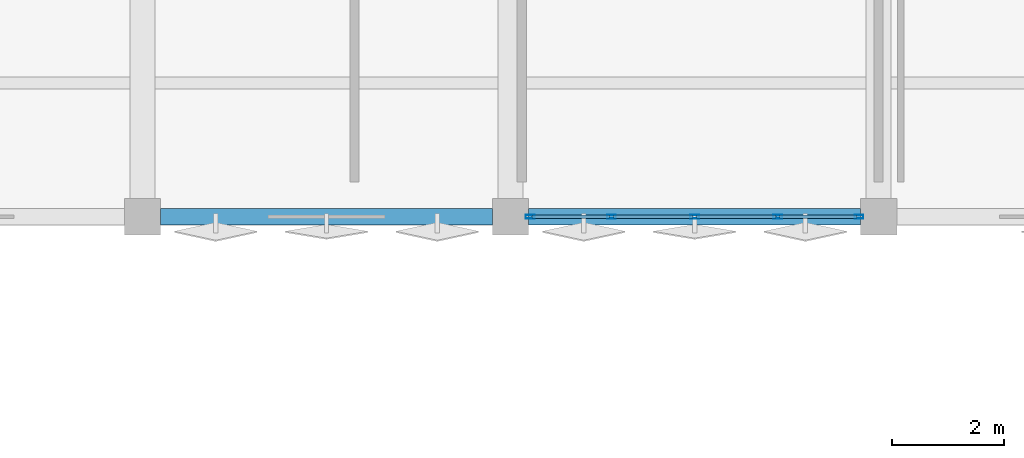
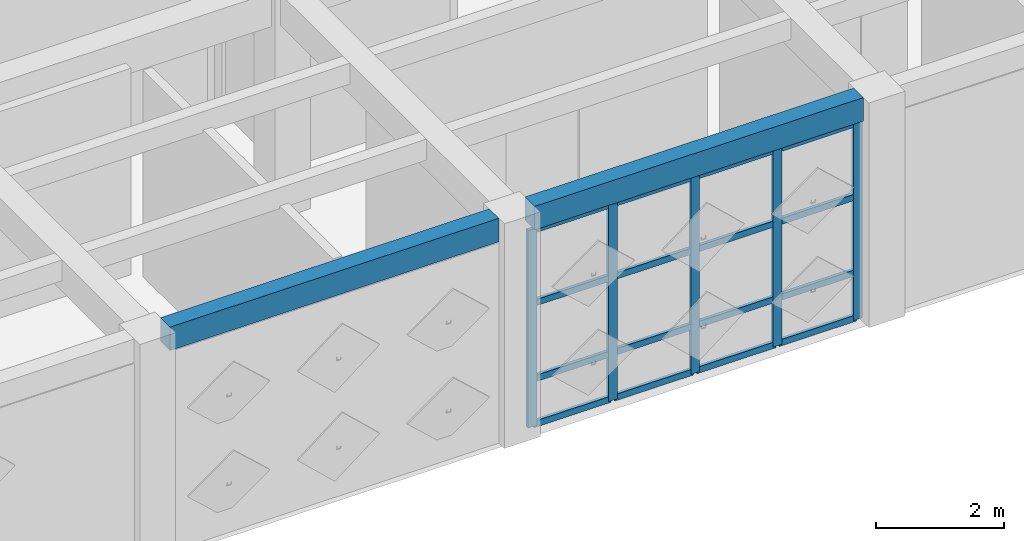
# One storey, part 13 of 39: 21 members, 2 beams, 1 element without a shape of its own.
"""IFC4 building model written with IfcOpenShell, lengths in metres."""

import ifcopenshell
import ifcopenshell.guid

model = None  # the IFC model being written
_history = None  # IfcOwnerHistory: only IFC2X3 demands one
_inside = {}  # id of a spatial element -> (the spatial element, [elements in it])
_under = {}  # id of a project, library or spatial element -> (it, [spatial elements below it])
_declared = {}  # id of a project -> (the project, [libraries it declares])
_typed = {}  # id of a type object -> (the type object, [elements of that type])
_made_of = {}  # id of a material, layer set ... -> (it, [elements and type objects made of it])


def new_model(schema):
    """Start an empty IFC model of exactly this schema.

    Asked for "IFC4X3", IfcOpenShell would pick the latest addendum, in which some entities
    have other attributes; the version numbers below select the first issue.
    IFC2X3 requires an IfcOwnerHistory on every rooted entity: one is made here for all.
    """
    global model, _history
    if schema == "IFC4X3":
        model = ifcopenshell.file(schema_version=(4, 3, 0, 0))
    else:
        model = ifcopenshell.file(schema=schema)
    _inside.clear()
    _under.clear()
    _declared.clear()
    _typed.clear()
    _made_of.clear()
    _history = None
    if model.schema == "IFC2X3":
        org = make("IfcOrganization", Name="unknown")
        user = make(
            "IfcPersonAndOrganization",
            ThePerson=make("IfcPerson", FamilyName="unknown"),
            TheOrganization=org,
        )
        app = make(
            "IfcApplication",
            ApplicationDeveloper=org,
            Version="unknown",
            ApplicationFullName="unknown",
            ApplicationIdentifier="unknown",
        )
        _history = make(
            "IfcOwnerHistory",
            OwningUser=user,
            OwningApplication=app,
            ChangeAction="ADDED",
            CreationDate=0,
        )
    return model


def make(cls, **values):
    """One entity of the class cls with the attributes given. An attribute that is None is left unset."""
    return model.create_entity(
        cls, **{name: value for name, value in values.items() if value is not None}
    )


def rooted(cls, **values):
    """An entity with a GlobalId (a new one), such as an element, a storey or a relation."""
    return make(cls, GlobalId=ifcopenshell.guid.new(), OwnerHistory=_history, **values)


def si_unit(unit_type, name, prefix=None):
    """IfcSIUnit, for example si_unit("LENGTHUNIT", "METRE", prefix="MILLI")."""
    return make("IfcSIUnit", UnitType=unit_type, Prefix=prefix, Name=name)


def assignment(units):
    """IfcUnitAssignment: the units of a project."""
    return None if units is None else make("IfcUnitAssignment", Units=units)


def point(xyz):
    """IfcCartesianPoint."""
    return None if xyz is None else make("IfcCartesianPoint", Coordinates=xyz)


def direction(xyz):
    """IfcDirection."""
    return None if xyz is None else make("IfcDirection", DirectionRatios=xyz)


def frame(location, z_axis=None, x_axis=None):
    """IfcAxis2Placement3D, a coordinate frame: its origin and axes. An axis left out is left unset."""
    return make(
        "IfcAxis2Placement3D",
        Location=point(location),
        Axis=direction(z_axis),
        RefDirection=direction(x_axis),
    )


def frame_2d(location, x_axis=None):
    """IfcAxis2Placement2D, a coordinate frame in the plane: its origin and x axis."""
    return make(
        "IfcAxis2Placement2D", Location=point(location), RefDirection=direction(x_axis)
    )


def origin():
    """The frame at (0, 0, 0) with its axes left unset."""
    return frame((0.0, 0.0, 0.0))


def origin_2d():
    """The frame at (0, 0) in the plane with its x axis left unset."""
    return frame_2d((0.0, 0.0))


def place(relative_to, where):
    """IfcLocalPlacement: puts the frame where relative to a parent placement (None: the world)."""
    return make(
        "IfcLocalPlacement", PlacementRelTo=relative_to, RelativePlacement=where
    )


def context(
    kind, dimensions, precision=None, world=None, true_north=None, identifier=None
):
    """IfcGeometricRepresentationContext, for example the 3D "Model" context."""
    return make(
        "IfcGeometricRepresentationContext",
        ContextIdentifier=identifier,
        ContextType=kind,
        CoordinateSpaceDimension=dimensions,
        Precision=precision,
        WorldCoordinateSystem=world,
        TrueNorth=true_north,
    )


def subcontext(parent, identifier, kind, view, scale=None):
    """IfcGeometricRepresentationSubContext, for example "Body" below "Model"."""
    return make(
        "IfcGeometricRepresentationSubContext",
        ContextIdentifier=identifier,
        ContextType=kind,
        ParentContext=parent,
        TargetScale=scale,
        TargetView=view,
    )


def project(units=None, contexts=None):
    """IfcProject with its units and contexts."""
    return rooted(
        "IfcProject",
        Name="project",
        RepresentationContexts=contexts,
        UnitsInContext=assignment(units),
    )


def spatial(cls, under=None, at=None, **own):
    """A site, building, storey or space (cls), placed at a placement, below another one or the project."""
    s = rooted(cls, ObjectPlacement=at, **own)
    if under is not None:
        _under.setdefault(under.id(), (under, []))[1].append(s)
    return s


def profile(cls, at=None, kind="AREA", **sizes):
    """A parametric profile (cls). Its sizes go by their IFC names, for example OverallWidth=200.0."""
    return make(cls, ProfileType=kind, Position=at, **sizes)


def rectangle(**sizes):
    """IfcRectangleProfileDef."""
    return profile("IfcRectangleProfileDef", **sizes)


def hollow_rectangle(**sizes):
    """IfcRectangleHollowProfileDef."""
    return profile("IfcRectangleHollowProfileDef", **sizes)


def extrude(swept, where, along, depth):
    """IfcExtrudedAreaSolid: the profile swept, set in the frame where, extruded along a direction by depth."""
    return make(
        "IfcExtrudedAreaSolid",
        SweptArea=swept,
        Position=where,
        ExtrudedDirection=direction(along),
        Depth=depth,
    )


def shape(context_of_items, identifier, shape_type, items):
    """IfcShapeRepresentation: the items that make up one representation, for example the "Body"."""
    return make(
        "IfcShapeRepresentation",
        ContextOfItems=context_of_items,
        RepresentationIdentifier=identifier,
        RepresentationType=shape_type,
        Items=items,
    )


def material(Name=None, Category=None):
    """IfcMaterial."""
    return make("IfcMaterial", Name=Name, Category=Category)


def layer(
    of_material, thickness, ventilated=None, Name=None, Category=None, Priority=None
):
    """IfcMaterialLayer: one layer of a wall or slab, of a material (None: an air gap)."""
    return make(
        "IfcMaterialLayer",
        Material=of_material,
        LayerThickness=thickness,
        IsVentilated=ventilated,
        Name=Name,
        Category=Category,
        Priority=Priority,
    )


def layer_set(layers, Name=None):
    """IfcMaterialLayerSet."""
    return make("IfcMaterialLayerSet", MaterialLayers=layers, LayerSetName=Name)


def material_profile(
    of_material, cross_section, Name=None, Category=None, Priority=None
):
    """IfcMaterialProfile: a cross section and its material."""
    return make(
        "IfcMaterialProfile",
        Name=Name,
        Material=of_material,
        Profile=cross_section,
        Priority=Priority,
        Category=Category,
    )


def profile_set(profiles, Name=None, composite=None):
    """IfcMaterialProfileSet."""
    return make(
        "IfcMaterialProfileSet",
        Name=Name,
        MaterialProfiles=profiles,
        CompositeProfile=composite,
    )


def made_of(thing, what):
    """Note that an element or type object is made of a material, layer set ...; save() writes the relation."""
    if what is not None:
        _made_of.setdefault(what.id(), (what, []))[1].append(thing)
    return thing


def type_object(cls, material=None, **own):
    """A type object (cls), such as IfcWallType, which elements share."""
    return made_of(rooted(cls, **own), material)


def element(
    cls,
    number,
    at=None,
    inside=None,
    cuts=None,
    type_object=None,
    material=None,
    context=None,
    identifier="Body",
    shape_type=None,
    held_by="IfcProductDefinitionShape",
    body=None,
    shapes=None,
    **own,
):
    """One element of the class cls, such as IfcWall. Its Tag is "e" and its number.

    at: its placement. inside: the storey or other place that contains it. cuts: it is an
    opening in that element (IfcRelVoidsElement). A single representation is given by context,
    identifier, shape_type and body (its items); several are given by shapes. held_by: the class
    of the entity that holds the representations. save() writes the other relations.
    """
    e = rooted(cls, Tag="e%d" % number, ObjectPlacement=at, **own)
    if body is not None:
        shapes = [shape(context, identifier, shape_type, body)]
    if shapes is not None:
        e.Representation = make(held_by, Representations=shapes)
    if inside is not None:
        _inside.setdefault(inside.id(), (inside, []))[1].append(e)
    if cuts is not None:
        rooted(
            "IfcRelVoidsElement", RelatingBuildingElement=cuts, RelatedOpeningElement=e
        )
    if type_object is not None:
        _typed.setdefault(type_object.id(), (type_object, []))[1].append(e)
    return made_of(e, material)


def aggregate(whole, parts):
    """IfcRelAggregates: a whole, such as a stair, and the parts it consists of."""
    return rooted("IfcRelAggregates", RelatingObject=whole, RelatedObjects=parts)


def save(model, path):
    """Write the relations noted so far, then the file.

    IfcRelAggregates (storeys below a building ...), IfcRelContainedInSpatialStructure (elements
    in a storey), IfcRelDefinesByType, IfcRelAssociatesMaterial and IfcRelDeclares: one each for
    every whole, place, type object, material and project.
    """
    for whole, parts in _under.values():
        aggregate(whole, parts)
    for where, things in _inside.values():
        rooted(
            "IfcRelContainedInSpatialStructure",
            RelatedElements=things,
            RelatingStructure=where,
        )
    for kind, things in _typed.values():
        rooted("IfcRelDefinesByType", RelatedObjects=things, RelatingType=kind)
    for what, things in _made_of.values():
        rooted("IfcRelAssociatesMaterial", RelatedObjects=things, RelatingMaterial=what)
    for by, libraries in _declared.values():
        rooted("IfcRelDeclares", RelatingContext=by, RelatedDefinitions=libraries)
    model.write(path)


model = new_model("IFC4")

# Units and contexts
model_context = context("Model", 3, precision=1e-05, world=origin(), true_north=direction((0.0, 1.0)))
body_context = subcontext(model_context, "Body", "Model", "MODEL_VIEW")
ifc_project = project(units=[si_unit("LENGTHUNIT", "METRE"), si_unit("AREAUNIT", "SQUARE_METRE"), si_unit("VOLUMEUNIT", "CUBIC_METRE"), si_unit("PLANEANGLEUNIT", "RADIAN"), si_unit("MASSUNIT", "GRAM", prefix="KILO")], contexts=[model_context])

# Site, building, storey
site_placement = place(None, origin())
site = spatial("IfcSite", under=ifc_project, at=site_placement, CompositionType="ELEMENT")
building_placement = place(site_placement, origin())
building = spatial("IfcBuilding", under=site, at=building_placement, Name="Kharisveld Research Institute", CompositionType="ELEMENT")
storey_placement = place(building_placement, frame((0.0, 0.0, 18.60009765625)))
storey = spatial("IfcBuildingStorey", under=building, at=storey_placement, Name="L04", CompositionType="ELEMENT", Elevation=18.60009765625)

# Curtain wall, members
ifc_material_1 = material(Name="Thermally Broken Aluminium Curtain Wall", Category="aluminium")
ifc_layer = layer(ifc_material_1, 0.159912109375)
ifc_layer_set = layer_set([ifc_layer], Name="CW_SYS_02")
curtain_wall_type = type_object("IfcCurtainWallType", Name="CW_SYS_02", PredefinedType="NOTDEFINED", material=ifc_layer_set)
curtain_wall_placement = place(storey_placement, origin())
curtain_wall = element("IfcCurtainWall", 1, at=curtain_wall_placement, inside=storey, type_object=curtain_wall_type, Name="CW:V2:L04:S4", PredefinedType="NOTDEFINED")
ifc_material_2 = material(Name="Anodised Aluminium AW-6063-T6", Category="aluminium")
ifc_material_profile_1 = material_profile(ifc_material_2, hollow_rectangle(XDim=0.06494140625, YDim=0.159912109375, WallThickness=0.00390625, at=origin_2d()))
ifc_profile_set_1 = profile_set([ifc_material_profile_1], Name="Anodised Aluminium AW-6063-T6")
member_type_1 = type_object("IfcMemberType", Name="CW_MUL_160", PredefinedType="MULLION", material=ifc_profile_set_1)
member_1_placement = place(storey_placement, frame((140.6474609375, 39.199951171875, 0.0), z_axis=(0.0, 0.0, 1.0), x_axis=(0.0, -1.0, 0.0)))
member_1 = element("IfcMember", 2, at=member_1_placement, type_object=member_type_1, Name="CW-02 mullion 1", PredefinedType="MULLION", context=body_context, shape_type="SweptSolid", body=[
    extrude(hollow_rectangle(XDim=0.06494140625, YDim=0.159912109375, WallThickness=0.00390625, at=origin_2d()), origin(), (0.0, 0.0, 1.0), 3.77978515625),
])
member_2_placement = place(storey_placement, frame((139.18994140625, 39.199951171875, 0.0), z_axis=(0.0, 0.0, 1.0), x_axis=(0.0, -1.0, 0.0)))
member_2 = element("IfcMember", 3, at=member_2_placement, type_object=member_type_1, Name="CW-02 mullion 2", PredefinedType="MULLION", context=body_context, shape_type="SweptSolid", body=[
    extrude(hollow_rectangle(XDim=0.06494140625, YDim=0.159912109375, WallThickness=0.00390625, at=origin_2d()), origin(), (0.0, 0.0, 1.0), 3.77978515625),
])
member_3_placement = place(storey_placement, frame((137.699951171875, 39.199951171875, 0.0), z_axis=(0.0, 0.0, 1.0), x_axis=(0.0, -1.0, 0.0)))
member_3 = element("IfcMember", 4, at=member_3_placement, type_object=member_type_1, Name="CW-02 mullion 3", PredefinedType="MULLION", context=body_context, shape_type="SweptSolid", body=[
    extrude(hollow_rectangle(XDim=0.06494140625, YDim=0.159912109375, WallThickness=0.00390625, at=origin_2d()), origin(), (0.0, 0.0, 1.0), 3.77978515625),
])
member_4_placement = place(storey_placement, frame((136.2099609375, 39.199951171875, 0.0), z_axis=(0.0, 0.0, 1.0), x_axis=(0.0, -1.0, 0.0)))
member_4 = element("IfcMember", 5, at=member_4_placement, type_object=member_type_1, Name="CW-02 mullion 4", PredefinedType="MULLION", context=body_context, shape_type="SweptSolid", body=[
    extrude(hollow_rectangle(XDim=0.06494140625, YDim=0.159912109375, WallThickness=0.00390625, at=origin_2d()), origin(), (0.0, 0.0, 1.0), 3.77978515625),
])
member_5_placement = place(storey_placement, frame((134.75244140625, 39.199951171875, 0.0), z_axis=(0.0, 0.0, 1.0), x_axis=(0.0, -1.0, 0.0)))
member_5 = element("IfcMember", 6, at=member_5_placement, type_object=member_type_1, Name="CW-02 mullion 5", PredefinedType="MULLION", context=body_context, shape_type="SweptSolid", body=[
    extrude(hollow_rectangle(XDim=0.06494140625, YDim=0.159912109375, WallThickness=0.00390625, at=origin_2d()), origin(), (0.0, 0.0, 1.0), 3.77978515625),
])
ifc_material_3 = material(Name="Anodised Aluminium AW-6063-T6", Category="aluminium")
ifc_material_profile_2 = material_profile(ifc_material_3, hollow_rectangle(XDim=0.06005859375, YDim=0.1201171875, WallThickness=0.00390625, at=origin_2d()))
ifc_profile_set_2 = profile_set([ifc_material_profile_2], Name="Anodised Aluminium AW-6063-T6")
member_type_2 = type_object("IfcMemberType", Name="CW_TRN_120", PredefinedType="USERDEFINED", material=ifc_profile_set_2)
member_6_placement = place(storey_placement, frame((140.614990234375, 39.199951171875, 0.02978515625), z_axis=(-1.0, 0.0, 0.0), x_axis=(0.0, -1.0, 0.0)))
member_6 = element("IfcMember", 7, at=member_6_placement, type_object=member_type_2, Name="CW-02 transom 1.1", ObjectType="TRANSOM", PredefinedType="USERDEFINED", context=body_context, shape_type="SweptSolid", body=[
    extrude(hollow_rectangle(XDim=0.06005859375, YDim=0.1201171875, WallThickness=0.00390625, at=origin_2d()), origin(), (0.0, 0.0, 1.0), 1.392578125),
])
member_7_placement = place(storey_placement, frame((140.614990234375, 39.199951171875, 0.89990234375), z_axis=(-1.0, 0.0, 0.0), x_axis=(0.0, -1.0, 0.0)))
member_7 = element("IfcMember", 8, at=member_7_placement, type_object=member_type_2, Name="CW-02 transom 1.2", ObjectType="TRANSOM", PredefinedType="USERDEFINED", context=body_context, shape_type="SweptSolid", body=[
    extrude(hollow_rectangle(XDim=0.06005859375, YDim=0.1201171875, WallThickness=0.00390625, at=origin_2d()), origin(), (0.0, 0.0, 1.0), 1.392578125),
])
member_8_placement = place(storey_placement, frame((140.614990234375, 39.199951171875, 2.349853515625), z_axis=(-1.0, 0.0, 0.0), x_axis=(0.0, -1.0, 0.0)))
member_8 = element("IfcMember", 9, at=member_8_placement, type_object=member_type_2, Name="CW-02 transom 1.3", ObjectType="TRANSOM", PredefinedType="USERDEFINED", context=body_context, shape_type="SweptSolid", body=[
    extrude(hollow_rectangle(XDim=0.06005859375, YDim=0.1201171875, WallThickness=0.00390625, at=origin_2d()), origin(), (0.0, 0.0, 1.0), 1.392578125),
])
member_9_placement = place(storey_placement, frame((140.614990234375, 39.199951171875, 3.75), z_axis=(-1.0, 0.0, 0.0), x_axis=(0.0, -1.0, 0.0)))
member_9 = element("IfcMember", 10, at=member_9_placement, type_object=member_type_2, Name="CW-02 transom 1.4", ObjectType="TRANSOM", PredefinedType="USERDEFINED", context=body_context, shape_type="SweptSolid", body=[
    extrude(hollow_rectangle(XDim=0.06005859375, YDim=0.1201171875, WallThickness=0.00390625, at=origin_2d()), origin(), (0.0, 0.0, 1.0), 1.392578125),
])
member_10_placement = place(storey_placement, frame((139.157470703125, 39.199951171875, 0.02978515625), z_axis=(-1.0, 0.0, 0.0), x_axis=(0.0, -1.0, 0.0)))
member_10 = element("IfcMember", 11, at=member_10_placement, type_object=member_type_2, Name="CW-02 transom 2.1", ObjectType="TRANSOM", PredefinedType="USERDEFINED", context=body_context, shape_type="SweptSolid", body=[
    extrude(hollow_rectangle(XDim=0.06005859375, YDim=0.1201171875, WallThickness=0.00390625, at=origin_2d()), origin(), (0.0, 0.0, 1.0), 1.425048828125),
])
member_11_placement = place(storey_placement, frame((139.157470703125, 39.199951171875, 0.89990234375), z_axis=(-1.0, 0.0, 0.0), x_axis=(0.0, -1.0, 0.0)))
member_11 = element("IfcMember", 12, at=member_11_placement, type_object=member_type_2, Name="CW-02 transom 2.2", ObjectType="TRANSOM", PredefinedType="USERDEFINED", context=body_context, shape_type="SweptSolid", body=[
    extrude(hollow_rectangle(XDim=0.06005859375, YDim=0.1201171875, WallThickness=0.00390625, at=origin_2d()), origin(), (0.0, 0.0, 1.0), 1.425048828125),
])
member_12_placement = place(storey_placement, frame((139.157470703125, 39.199951171875, 2.349853515625), z_axis=(-1.0, 0.0, 0.0), x_axis=(0.0, -1.0, 0.0)))
member_12 = element("IfcMember", 13, at=member_12_placement, type_object=member_type_2, Name="CW-02 transom 2.3", ObjectType="TRANSOM", PredefinedType="USERDEFINED", context=body_context, shape_type="SweptSolid", body=[
    extrude(hollow_rectangle(XDim=0.06005859375, YDim=0.1201171875, WallThickness=0.00390625, at=origin_2d()), origin(), (0.0, 0.0, 1.0), 1.425048828125),
])
member_13_placement = place(storey_placement, frame((139.157470703125, 39.199951171875, 3.75), z_axis=(-1.0, 0.0, 0.0), x_axis=(0.0, -1.0, 0.0)))
member_13 = element("IfcMember", 14, at=member_13_placement, type_object=member_type_2, Name="CW-02 transom 2.4", ObjectType="TRANSOM", PredefinedType="USERDEFINED", context=body_context, shape_type="SweptSolid", body=[
    extrude(hollow_rectangle(XDim=0.06005859375, YDim=0.1201171875, WallThickness=0.00390625, at=origin_2d()), origin(), (0.0, 0.0, 1.0), 1.425048828125),
])
member_14_placement = place(storey_placement, frame((137.66748046875, 39.199951171875, 0.02978515625), z_axis=(-1.0, 0.0, 0.0), x_axis=(0.0, -1.0, 0.0)))
member_14 = element("IfcMember", 15, at=member_14_placement, type_object=member_type_2, Name="CW-02 transom 3.1", ObjectType="TRANSOM", PredefinedType="USERDEFINED", context=body_context, shape_type="SweptSolid", body=[
    extrude(hollow_rectangle(XDim=0.06005859375, YDim=0.1201171875, WallThickness=0.00390625, at=origin_2d()), origin(), (0.0, 0.0, 1.0), 1.425048828125),
])
member_15_placement = place(storey_placement, frame((137.66748046875, 39.199951171875, 0.89990234375), z_axis=(-1.0, 0.0, 0.0), x_axis=(0.0, -1.0, 0.0)))
member_15 = element("IfcMember", 16, at=member_15_placement, type_object=member_type_2, Name="CW-02 transom 3.2", ObjectType="TRANSOM", PredefinedType="USERDEFINED", context=body_context, shape_type="SweptSolid", body=[
    extrude(hollow_rectangle(XDim=0.06005859375, YDim=0.1201171875, WallThickness=0.00390625, at=origin_2d()), origin(), (0.0, 0.0, 1.0), 1.425048828125),
])
member_16_placement = place(storey_placement, frame((137.66748046875, 39.199951171875, 2.349853515625), z_axis=(-1.0, 0.0, 0.0), x_axis=(0.0, -1.0, 0.0)))
member_16 = element("IfcMember", 17, at=member_16_placement, type_object=member_type_2, Name="CW-02 transom 3.3", ObjectType="TRANSOM", PredefinedType="USERDEFINED", context=body_context, shape_type="SweptSolid", body=[
    extrude(hollow_rectangle(XDim=0.06005859375, YDim=0.1201171875, WallThickness=0.00390625, at=origin_2d()), origin(), (0.0, 0.0, 1.0), 1.425048828125),
])
member_17_placement = place(storey_placement, frame((137.66748046875, 39.199951171875, 3.75), z_axis=(-1.0, 0.0, 0.0), x_axis=(0.0, -1.0, 0.0)))
member_17 = element("IfcMember", 18, at=member_17_placement, type_object=member_type_2, Name="CW-02 transom 3.4", ObjectType="TRANSOM", PredefinedType="USERDEFINED", context=body_context, shape_type="SweptSolid", body=[
    extrude(hollow_rectangle(XDim=0.06005859375, YDim=0.1201171875, WallThickness=0.00390625, at=origin_2d()), origin(), (0.0, 0.0, 1.0), 1.425048828125),
])
member_18_placement = place(storey_placement, frame((136.177490234375, 39.199951171875, 0.02978515625), z_axis=(-1.0, 0.0, 0.0), x_axis=(0.0, -1.0, 0.0)))
member_18 = element("IfcMember", 19, at=member_18_placement, type_object=member_type_2, Name="CW-02 transom 4.1", ObjectType="TRANSOM", PredefinedType="USERDEFINED", context=body_context, shape_type="SweptSolid", body=[
    extrude(hollow_rectangle(XDim=0.06005859375, YDim=0.1201171875, WallThickness=0.00390625, at=origin_2d()), origin(), (0.0, 0.0, 1.0), 1.392578125),
])
member_19_placement = place(storey_placement, frame((136.177490234375, 39.199951171875, 0.89990234375), z_axis=(-1.0, 0.0, 0.0), x_axis=(0.0, -1.0, 0.0)))
member_19 = element("IfcMember", 20, at=member_19_placement, type_object=member_type_2, Name="CW-02 transom 4.2", ObjectType="TRANSOM", PredefinedType="USERDEFINED", context=body_context, shape_type="SweptSolid", body=[
    extrude(hollow_rectangle(XDim=0.06005859375, YDim=0.1201171875, WallThickness=0.00390625, at=origin_2d()), origin(), (0.0, 0.0, 1.0), 1.392578125),
])
member_20_placement = place(storey_placement, frame((136.177490234375, 39.199951171875, 2.349853515625), z_axis=(-1.0, 0.0, 0.0), x_axis=(0.0, -1.0, 0.0)))
member_20 = element("IfcMember", 21, at=member_20_placement, type_object=member_type_2, Name="CW-02 transom 4.3", ObjectType="TRANSOM", PredefinedType="USERDEFINED", context=body_context, shape_type="SweptSolid", body=[
    extrude(hollow_rectangle(XDim=0.06005859375, YDim=0.1201171875, WallThickness=0.00390625, at=origin_2d()), origin(), (0.0, 0.0, 1.0), 1.392578125),
])
member_21_placement = place(storey_placement, frame((136.177490234375, 39.199951171875, 3.75), z_axis=(-1.0, 0.0, 0.0), x_axis=(0.0, -1.0, 0.0)))
member_21 = element("IfcMember", 22, at=member_21_placement, type_object=member_type_2, Name="CW-02 transom 4.4", ObjectType="TRANSOM", PredefinedType="USERDEFINED", context=body_context, shape_type="SweptSolid", body=[
    extrude(hollow_rectangle(XDim=0.06005859375, YDim=0.1201171875, WallThickness=0.00390625, at=origin_2d()), origin(), (0.0, 0.0, 1.0), 1.392578125),
])
aggregate(curtain_wall, [member_1, member_2, member_3, member_4, member_5, member_6, member_7, member_8, member_9, member_10, member_11, member_12, member_13, member_14, member_15, member_16, member_17, member_18, member_19, member_20, member_21])

# Beams
ifc_material_4 = material(Name="Concrete C40/50", Category="concrete")
ifc_material_profile_3 = material_profile(ifc_material_4, rectangle(XDim=0.300048828125, YDim=0.449951171875, at=origin_2d()))
ifc_profile_set_3 = profile_set([ifc_material_profile_3], Name="Concrete C40/50")
beam_type = type_object("IfcBeamType", Name="SP_RC_300x450", PredefinedType="SPANDREL", material=ifc_profile_set_3)
for number, where, z_axis, x_axis, name in (
    (23, (128.125, 39.199951171875, 4.074951171875), (1.0, 0.0, 0.0), (0.0, 1.0, 0.0), "BM:V2:L04:U2_0"),
    (24, (134.72509765625, 39.199951171875, 4.074951171875), (1.0, 0.0, 0.0), (0.0, 1.0, 0.0), "BM:V2:L04:U3_0"),
):
    element("IfcBeam", number, at=place(storey_placement, frame(where, z_axis=z_axis, x_axis=x_axis)), inside=storey, type_object=beam_type, Name=name, PredefinedType="SPANDREL", context=body_context, shape_type="SweptSolid", body=[
        extrude(rectangle(XDim=0.300048828125, YDim=0.449951171875, at=origin_2d()), origin(), (0.0, 0.0, 1.0), 5.949951171875),
    ])

save(model, "model.ifc")
